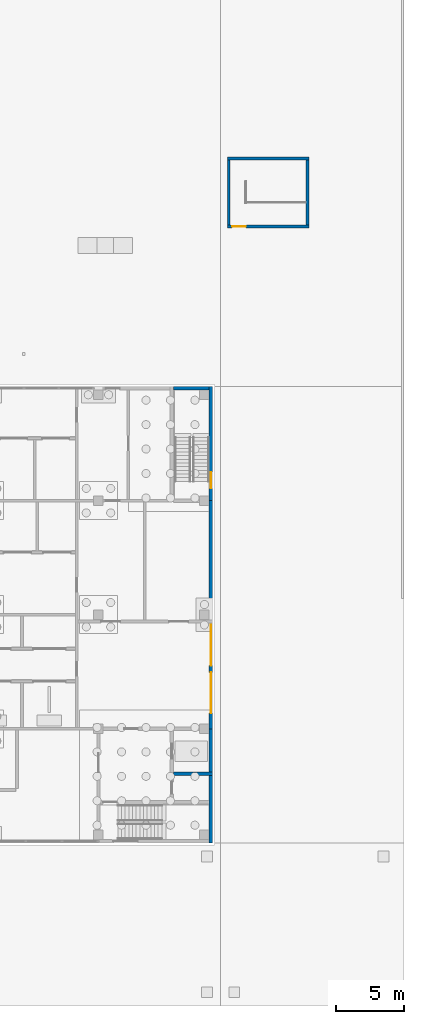
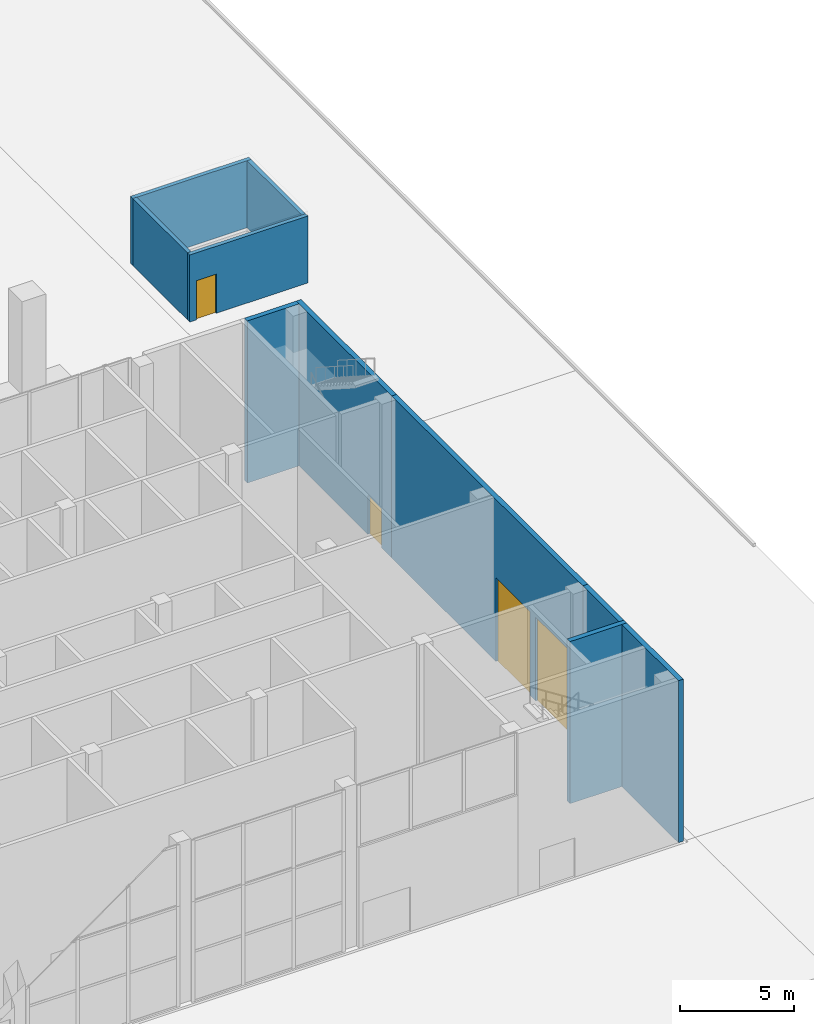
# One storey, part 30 of 46: 9 walls, 4 doors, 4 openings.
"""IFC4 building model written with IfcOpenShell, lengths in metres."""

from ifc_helpers import new_model, si_unit, direction, frame, frame_2d, origin, place, context, subcontext, project, spatial, rectangle, extrude, material, layer, layer_set, type_object, element, fill, save


model = new_model("IFC4")

# Units and contexts
model_context = context("Model", 3, precision=1e-05, world=origin(), true_north=direction((0.0, 1.0)))
body_context = subcontext(model_context, "Body", "Model", "MODEL_VIEW")
ifc_project = project(units=[si_unit("LENGTHUNIT", "METRE"), si_unit("AREAUNIT", "SQUARE_METRE"), si_unit("VOLUMEUNIT", "CUBIC_METRE"), si_unit("PLANEANGLEUNIT", "RADIAN"), si_unit("MASSUNIT", "GRAM", prefix="KILO")], contexts=[model_context])

# Site, building, storey
site_placement = place(None, origin())
site = spatial("IfcSite", under=ifc_project, at=site_placement, CompositionType="ELEMENT")
building_placement = place(site_placement, origin())
building = spatial("IfcBuilding", under=site, at=building_placement, Name="Vermilion Gate Residences", CompositionType="ELEMENT")
storey_placement = place(building_placement, origin())
storey = spatial("IfcBuildingStorey", under=building, at=storey_placement, Name="L00", CompositionType="ELEMENT", Elevation=0.0)

# Wall, openings, doors
ifc_material_1 = material(Name="Insulated masonry", Category="masonry")
ifc_layer_1 = layer(ifc_material_1, 0.25)
ifc_layer_set_1 = layer_set([ifc_layer_1], Name="EXTERNAL WALL 250 MASONRY (MARKET HALL)")
wall_type_1 = type_object("IfcWallType", Name="EXTERNAL WALL 250 MASONRY (MARKET HALL)", PredefinedType="SOLIDWALL", material=ifc_layer_set_1)
wall_1_placement = place(storey_placement, frame((117.77490234375, 8.39990234375, 0.0), z_axis=(0.0, 0.0, 1.0), x_axis=(0.0, 1.0, 0.0)))
wall_1 = element("IfcWall", 1, at=wall_1_placement, inside=storey, type_object=wall_type_1, Name="External wall L00-98", PredefinedType="SOLIDWALL", context=body_context, shape_type="SweptSolid", body=[
    extrude(rectangle(XDim=16.800048828125, YDim=0.25, at=frame_2d((8.39990234375, 0.0))), origin(), (0.0, 0.0, 1.0), 8.699951171875),
])
opening_1_placement = place(wall_1_placement, frame((1.14990234375, 0.0, 0.0)))
opening_1 = element("IfcOpeningElement", 2, at=opening_1_placement, cuts=wall_1, Name="Opening DH00062", PredefinedType="OPENING", context=body_context, shape_type="SweptSolid", body=[
    extrude(rectangle(XDim=3.0, YDim=4.5, at=frame_2d((1.5, 2.25))), frame((0.0, 0.135009765625, 0.0), z_axis=(0.0, -1.0, 0.0), x_axis=(1.0, 0.0, 0.0)), (0.0, 0.0, 1.0), 0.27001953125),
])
opening_2_placement = place(wall_1_placement, frame((4.64990234375, 0.0, 0.0)))
opening_2 = element("IfcOpeningElement", 3, at=opening_2_placement, cuts=wall_1, Name="Opening DH00063", PredefinedType="OPENING", context=body_context, shape_type="SweptSolid", body=[
    extrude(rectangle(XDim=3.0, YDim=4.5, at=frame_2d((1.5, 2.25))), frame((0.0, 0.135009765625, 0.0), z_axis=(0.0, -1.0, 0.0), x_axis=(1.0, 0.0, 0.0)), (0.0, 0.0, 1.0), 0.27001953125),
])
ifc_material_2 = material(Name="Steel", Category="steel")
door_type_1 = type_object("IfcDoorType", Name="DOCK OVERHEAD DOOR 3000 X 4500 (MARKET HALL)", OperationType="ROLLINGUP", PredefinedType="DOOR", material=ifc_material_2)
door_1_placement = place(opening_1_placement, frame((3.0, 0.0, 0.0), z_axis=(0.0, 0.0, 1.0), x_axis=(-1.0, 0.0, 0.0)))
door_1 = element("IfcDoor", 4, at=door_1_placement, inside=storey, type_object=door_type_1, Name="Dock overhead door DH00062", OperationType="ROLLINGUP", OverallHeight=4.5, OverallWidth=3.0, PredefinedType="DOOR", context=body_context, shape_type="SweptSolid", body=[
    extrude(rectangle(XDim=3.0, YDim=4.5, at=frame_2d((1.5, 2.25))), frame((0.0, 0.02490234375, 0.0), z_axis=(0.0, -1.0, 0.0), x_axis=(1.0, 0.0, 0.0)), (0.0, 0.0, 1.0), 0.050048828125),
])
fill(opening_1, door_1)
door_2_placement = place(opening_2_placement, frame((3.0, 0.0, 0.0), z_axis=(0.0, 0.0, 1.0), x_axis=(-1.0, 0.0, 0.0)))
door_2 = element("IfcDoor", 5, at=door_2_placement, inside=storey, type_object=door_type_1, Name="Dock overhead door DH00063", OperationType="ROLLINGUP", OverallHeight=4.5, OverallWidth=3.0, PredefinedType="DOOR", context=body_context, shape_type="SweptSolid", body=[
    extrude(rectangle(XDim=3.0, YDim=4.5, at=frame_2d((1.5, 2.25))), frame((0.0, 0.02490234375, 0.0), z_axis=(0.0, -1.0, 0.0), x_axis=(1.0, 0.0, 0.0)), (0.0, 0.0, 1.0), 0.050048828125),
])
fill(opening_2, door_2)

# Walls
ifc_material_3 = material(Name="Concrete C45", Category="concrete")
ifc_layer_2 = layer(ifc_material_3, 0.25)
ifc_layer_set_2 = layer_set([ifc_layer_2], Name="RC CORE WALL 250 C45 (MARKET HALL)")
wall_type_2 = type_object("IfcWallType", Name="RC CORE WALL 250 C45 (MARKET HALL)", PredefinedType="SHEAR", material=ifc_layer_set_2)
wall_2_placement = place(storey_placement, frame((115.02490234375, 5.10009765625, 0.0), z_axis=(0.0, 0.0, 1.0), x_axis=(1.0, 0.0, 0.0)))
element("IfcWall", 6, at=wall_2_placement, inside=storey, type_object=wall_type_2, Name="Core wall L00-9", PredefinedType="SHEAR", context=body_context, shape_type="SweptSolid", body=[
    extrude(rectangle(XDim=2.875, YDim=0.25, at=frame_2d((1.4375, 0.0))), origin(), (0.0, 0.0, 1.0), 8.699951171875),
])
wall_3_placement = place(storey_placement, frame((115.02490234375, 33.47509765625, 0.0), z_axis=(0.0, 0.0, 1.0), x_axis=(1.0, 0.0, 0.0)))
element("IfcWall", 7, at=wall_3_placement, inside=storey, type_object=wall_type_2, Name="Core wall L00-44", PredefinedType="SHEAR", context=body_context, shape_type="SweptSolid", body=[
    extrude(rectangle(XDim=2.625, YDim=0.25, at=frame_2d((1.3125, 0.0))), origin(), (0.0, 0.0, 1.0), 8.699951171875),
])
wall_4_placement = place(storey_placement, frame((117.77490234375, 0.0, 0.0), z_axis=(0.0, 0.0, 1.0), x_axis=(0.0, 1.0, 0.0)))
element("IfcWall", 8, at=wall_4_placement, inside=storey, type_object=wall_type_2, Name="Core wall L00-97", PredefinedType="SHEAR", context=body_context, shape_type="SweptSolid", body=[
    extrude(rectangle(XDim=8.39990234375, YDim=0.25, at=frame_2d((4.199951171875, 0.0))), origin(), (0.0, 0.0, 1.0), 8.699951171875),
])

# Wall, opening, door
wall_5_placement = place(storey_placement, frame((117.77490234375, 25.199951171875, 0.0), z_axis=(0.0, 0.0, 1.0), x_axis=(0.0, 1.0, 0.0)))
wall_5 = element("IfcWall", 9, at=wall_5_placement, inside=storey, type_object=wall_type_2, Name="Core wall L00-99", PredefinedType="SHEAR", context=body_context, shape_type="SweptSolid", body=[
    extrude(rectangle(XDim=8.400146484375, YDim=0.25, at=frame_2d((4.2001953125, 0.0))), origin(), (0.0, 0.0, 1.0), 8.699951171875),
])
opening_3_placement = place(wall_5_placement, frame((0.89990234375, 0.0, 0.0)))
opening_3 = element("IfcOpeningElement", 10, at=opening_3_placement, cuts=wall_5, Name="Opening DH00064", PredefinedType="OPENING", context=body_context, shape_type="SweptSolid", body=[
    extrude(rectangle(XDim=1.199951171875, YDim=2.10009765625, at=frame_2d((0.60009765625, 1.050048828125))), frame((0.0, 0.135009765625, 0.0), z_axis=(0.0, -1.0, 0.0), x_axis=(1.0, 0.0, 0.0)), (0.0, 0.0, 1.0), 0.27001953125),
])
ifc_material_4 = material(Name="Steel", Category="steel")
door_type_2 = type_object("IfcDoorType", Name="EXIT DOOR FD60 1200 X 2100 (MARKET HALL)", OperationType="SINGLE_SWING_LEFT", PredefinedType="DOOR", material=ifc_material_4)
door_3_placement = place(opening_3_placement, frame((1.199951171875, 0.0, 0.0), z_axis=(0.0, 0.0, 1.0), x_axis=(-1.0, 0.0, 0.0)))
door_3 = element("IfcDoor", 11, at=door_3_placement, inside=storey, type_object=door_type_2, Name="Exit door DH00064", OperationType="SINGLE_SWING_RIGHT", OverallHeight=2.10009765625, OverallWidth=1.199951171875, PredefinedType="DOOR", context=body_context, shape_type="SweptSolid", body=[
    extrude(rectangle(XDim=1.199951171875, YDim=2.10009765625, at=frame_2d((0.60009765625, 1.050048828125))), frame((0.0, 0.02490234375, 0.0), z_axis=(0.0, -1.0, 0.0), x_axis=(1.0, 0.0, 0.0)), (0.0, 0.0, 1.0), 0.050048828125),
])
fill(opening_3, door_3)

# Wall
ifc_material_5 = material(Name="Concrete C40", Category="concrete")
ifc_layer_3 = layer(ifc_material_5, 0.199951171875)
ifc_layer_set_3 = layer_set([ifc_layer_3], Name="RC STAIR AND SHAFT WALL 200 EI 180 C40 (AMENITY)")
wall_type_3 = type_object("IfcWallType", Name="RC STAIR AND SHAFT WALL 200 EI 180 C40 (AMENITY)", PredefinedType="SOLIDWALL", material=ifc_layer_set_3)
wall_6_placement = place(storey_placement, frame((119.10009765625, 45.5, 0.0), z_axis=(0.0, 0.0, 1.0), x_axis=(0.0, 1.0, 0.0)))
element("IfcWall", 12, at=wall_6_placement, inside=storey, type_object=wall_type_3, Name="Stair and shaft wall 78", PredefinedType="SOLIDWALL", context=body_context, shape_type="SweptSolid", body=[
    extrude(rectangle(XDim=4.800048828125, YDim=0.199951171875, at=frame_2d((2.39990234375, 0.0))), origin(), (0.0, 0.0, 1.0), 3.60009765625),
])

# Wall, opening, door
wall_7_placement = place(storey_placement, frame((119.0, 45.39990234375, 0.0), z_axis=(0.0, 0.0, 1.0), x_axis=(1.0, 0.0, 0.0)))
wall_7 = element("IfcWall", 13, at=wall_7_placement, inside=storey, type_object=wall_type_3, Name="Stair and shaft wall 79", PredefinedType="SOLIDWALL", context=body_context, shape_type="SweptSolid", body=[
    extrude(rectangle(XDim=6.0, YDim=0.199951171875, at=frame_2d((3.0, 0.0))), origin(), (0.0, 0.0, 1.0), 3.60009765625),
])
opening_4_placement = place(wall_7_placement, frame((0.35009765625, 0.0, 0.0)))
opening_4 = element("IfcOpeningElement", 14, at=opening_4_placement, cuts=wall_7, Name="Opening DG00005", PredefinedType="OPENING", context=body_context, shape_type="SweptSolid", body=[
    extrude(rectangle(XDim=1.0, YDim=2.10009765625, at=frame_2d((0.5, 1.050048828125))), frame((0.0, 0.10986328125, 0.0), z_axis=(0.0, -1.0, 0.0), x_axis=(1.0, 0.0, 0.0)), (0.0, 0.0, 1.0), 0.219970703125),
])
ifc_material_6 = material(Name="Steel", Category="steel")
door_type_3 = type_object("IfcDoorType", Name="DOOR 1000 X 2100 FD60 (AMENITY)", OperationType="SINGLE_SWING_LEFT", PredefinedType="DOOR", material=ifc_material_6)
door_4_placement = place(opening_4_placement, frame((1.0, 0.0, 0.0), z_axis=(0.0, 0.0, 1.0), x_axis=(-1.0, 0.0, 0.0)))
door_4 = element("IfcDoor", 15, at=door_4_placement, inside=storey, type_object=door_type_3, Name="Door L00 5", OperationType="SINGLE_SWING_RIGHT", OverallHeight=2.10009765625, OverallWidth=1.0, PredefinedType="DOOR", context=body_context, shape_type="SweptSolid", body=[
    extrude(rectangle(XDim=1.0, YDim=2.10009765625, at=frame_2d((0.5, 1.050048828125))), frame((0.0, 0.02490234375, 0.0), z_axis=(0.0, -1.0, 0.0), x_axis=(1.0, 0.0, 0.0)), (0.0, 0.0, 1.0), 0.050048828125),
])
fill(opening_4, door_4)

# Walls
wall_8_placement = place(storey_placement, frame((119.0, 50.39990234375, 0.0), z_axis=(0.0, 0.0, 1.0), x_axis=(1.0, 0.0, 0.0)))
element("IfcWall", 16, at=wall_8_placement, inside=storey, type_object=wall_type_3, Name="Stair and shaft wall 80", PredefinedType="SOLIDWALL", context=body_context, shape_type="SweptSolid", body=[
    extrude(rectangle(XDim=6.0, YDim=0.199951171875, at=frame_2d((3.0, 0.0))), origin(), (0.0, 0.0, 1.0), 3.60009765625),
])
wall_9_placement = place(storey_placement, frame((124.89990234375, 45.5, 0.0), z_axis=(0.0, 0.0, 1.0), x_axis=(0.0, 1.0, 0.0)))
element("IfcWall", 17, at=wall_9_placement, inside=storey, type_object=wall_type_3, Name="Stair and shaft wall 84", PredefinedType="SOLIDWALL", context=body_context, shape_type="SweptSolid", body=[
    extrude(rectangle(XDim=4.800048828125, YDim=0.199951171875, at=frame_2d((2.39990234375, 0.0))), origin(), (0.0, 0.0, 1.0), 3.60009765625),
])

save(model, "model.ifc")
